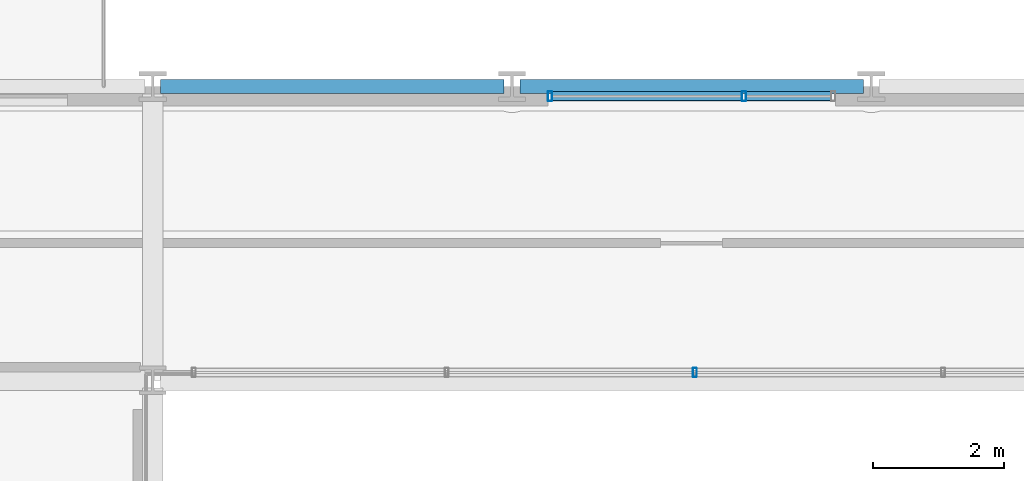
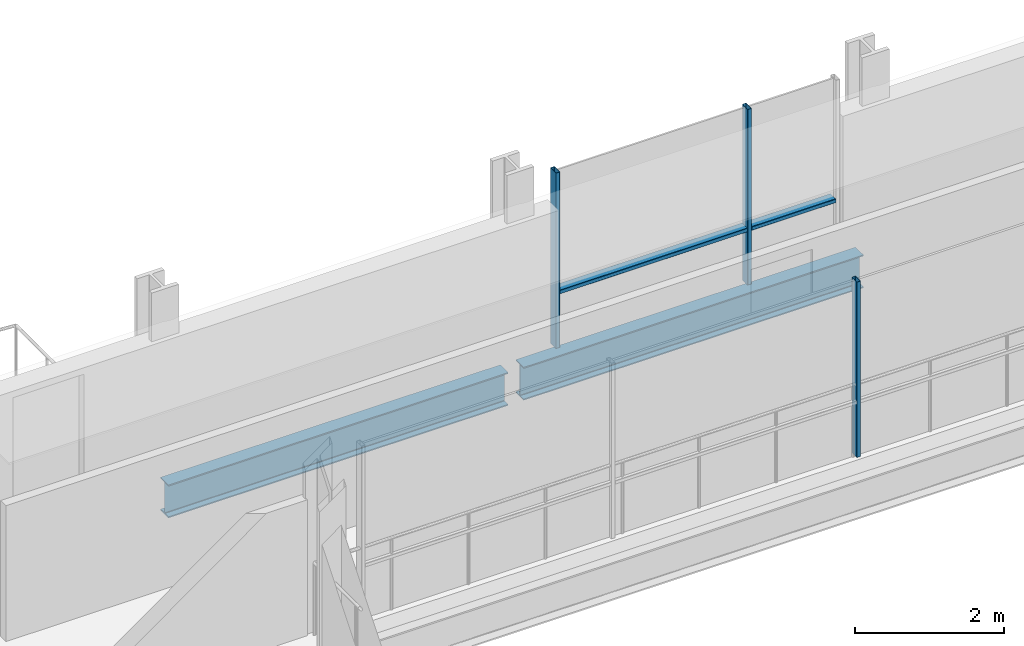
# One storey, part 11 of 39: 5 members, 2 beams, 2 elements without a shape of their own.
"""IFC4 building model written with IfcOpenShell, lengths in metres."""

from ifc_helpers import new_model, si_unit, direction, frame, origin, origin_2d, place, context, subcontext, project, spatial, hollow_rectangle, i_section, extrude, material, layer, layer_set, material_profile, profile_set, type_object, element, aggregate, save


model = new_model("IFC4")

# Units and contexts
model_context = context("Model", 3, precision=1e-05, world=origin(), true_north=direction((0.0, 1.0)))
body_context = subcontext(model_context, "Body", "Model", "MODEL_VIEW")
ifc_project = project(units=[si_unit("LENGTHUNIT", "METRE"), si_unit("AREAUNIT", "SQUARE_METRE"), si_unit("VOLUMEUNIT", "CUBIC_METRE"), si_unit("PLANEANGLEUNIT", "RADIAN"), si_unit("MASSUNIT", "GRAM", prefix="KILO")], contexts=[model_context])

# Site, building, storey
site_placement = place(None, origin())
site = spatial("IfcSite", under=ifc_project, at=site_placement, CompositionType="ELEMENT")
building_placement = place(site_placement, origin())
building = spatial("IfcBuilding", under=site, at=building_placement, Name="Brevholm Reach", CompositionType="ELEMENT")
storey_placement = place(building_placement, frame((0.0, 0.0, 77.60009765625)))
storey = spatial("IfcBuildingStorey", under=building, at=storey_placement, Name="L22", CompositionType="ELEMENT", Elevation=77.60009765625)

# Beams
ifc_material_1 = material(Name="Structural Steel S355J2", Category="steel")
ifc_material_profile_1 = material_profile(ifc_material_1, i_section(OverallWidth=0.210693359375, OverallDepth=0.53955078125, WebThickness=0.01171875, FlangeThickness=0.018798828125, FilletRadius=0.0126953125, at=origin_2d()), Name="UKB 533x210x109")
ifc_profile_set_1 = profile_set([ifc_material_profile_1], Name="Structural Steel S355J2")
beam_type = type_object("IfcBeamType", Name="BM-SP539", PredefinedType="SPANDREL", material=ifc_profile_set_1)
for number, where, z_axis, x_axis, name in (
    (1, (21.8701171875, 31.0, -0.499755859375), (1.0, 0.0, 0.0), (0.0, 1.0, 0.0), "L22 SP-01B Framing Beam"),
    (2, (27.3701171875, 31.0, -0.499755859375), (1.0, 0.0, 0.0), (0.0, 1.0, 0.0), "L22 SP-01B Framing Beam"),
):
    element("IfcBeam", number, at=place(storey_placement, frame(where, z_axis=z_axis, x_axis=x_axis)), inside=storey, type_object=beam_type, Name=name, PredefinedType="SPANDREL", context=body_context, shape_type="SweptSolid", body=[
        extrude(i_section(OverallWidth=0.210693359375, OverallDepth=0.53955078125, WebThickness=0.01171875, FlangeThickness=0.018798828125, FilletRadius=0.0126953125, at=origin_2d()), origin(), (0.0, 0.0, 1.0), 5.259765625),
    ])

# Curtain wall, member
ifc_material_2 = material(Name="Dark Anodised Aluminium 6063-T6 and Solar-Control Glass", Category="aluminium")
ifc_layer_1 = layer(ifc_material_2, 0.139892578125)
ifc_layer_set_1 = layer_set([ifc_layer_1], Name="Dark Anodised Aluminium 6063-T6 and Solar-Control Glass")
curtain_wall_type_1 = type_object("IfcCurtainWallType", Name="CW-02", PredefinedType="NOTDEFINED", material=ifc_layer_set_1)
curtain_wall_1_placement = place(storey_placement, origin())
curtain_wall_1 = element("IfcCurtainWall", 3, at=curtain_wall_1_placement, inside=storey, type_object=curtain_wall_type_1, Name="L22 Curtain Wall CW-02", PredefinedType="NOTDEFINED")
ifc_material_3 = material(Name="Dark Anodised Aluminium 6063-T6", Category="aluminium")
ifc_material_profile_2 = material_profile(ifc_material_3, hollow_rectangle(XDim=0.06005859375, YDim=0.139892578125, WallThickness=0.0048828125, InnerFilletRadius=0.0048828125, OuterFilletRadius=0.010009765625, at=origin_2d()), Name="RHS 140x60x5")
ifc_profile_set_2 = profile_set([ifc_material_profile_2], Name="Dark Anodised Aluminium 6063-T6")
member_type_1 = type_object("IfcMemberType", Name="CWM-140", PredefinedType="MULLION", material=ifc_profile_set_2)
member_1_placement = place(storey_placement, frame((30.050048828125, 26.6201171875, 0.0), z_axis=(0.0, 0.0, 1.0), x_axis=(-1.0, 0.0, 0.0)))
member_1 = element("IfcMember", 4, at=member_1_placement, type_object=member_type_1, Name="CM-140 Mullion 3", PredefinedType="MULLION", context=body_context, shape_type="SweptSolid", body=[
    extrude(hollow_rectangle(XDim=0.06005859375, YDim=0.139892578125, WallThickness=0.0048828125, InnerFilletRadius=0.0048828125, OuterFilletRadius=0.010009765625, at=origin_2d()), origin(), (0.0, 0.0, 1.0), 2.869873046875),
])
aggregate(curtain_wall_1, [member_1])

# Curtain wall, members
ifc_material_4 = material(Name="Dark Anodised Aluminium 6063-T6 and Solar-Control Glass", Category="aluminium")
ifc_layer_2 = layer(ifc_material_4, 0.14990234375)
ifc_layer_set_2 = layer_set([ifc_layer_2], Name="Dark Anodised Aluminium 6063-T6 and Solar-Control Glass")
curtain_wall_type_2 = type_object("IfcCurtainWallType", Name="CW-01", PredefinedType="NOTDEFINED", material=ifc_layer_set_2)
curtain_wall_2_placement = place(storey_placement, origin())
curtain_wall_2 = element("IfcCurtainWall", 5, at=curtain_wall_2_placement, inside=storey, type_object=curtain_wall_type_2, Name="L22 Curtain Wall CW-01", PredefinedType="NOTDEFINED")
ifc_material_5 = material(Name="Dark Anodised Aluminium 6063-T6", Category="aluminium")
ifc_material_profile_3 = material_profile(ifc_material_5, hollow_rectangle(XDim=0.06494140625, YDim=0.14990234375, WallThickness=0.0048828125, InnerFilletRadius=0.0048828125, OuterFilletRadius=0.010009765625, at=origin_2d()), Name="RHS 150x65x5")
ifc_profile_set_3 = profile_set([ifc_material_profile_3], Name="Dark Anodised Aluminium 6063-T6")
member_type_2 = type_object("IfcMemberType", Name="CWM-150", PredefinedType="MULLION", material=ifc_profile_set_3)
member_2_placement = place(storey_placement, frame((27.83251953125, 30.85009765625, 0.0), z_axis=(0.0, 0.0, 1.0), x_axis=(1.0, 0.0, 0.0)))
member_2 = element("IfcMember", 6, at=member_2_placement, type_object=member_type_2, Name="CM-150 Mullion 1", PredefinedType="MULLION", context=body_context, shape_type="SweptSolid", body=[
    extrude(hollow_rectangle(XDim=0.06494140625, YDim=0.14990234375, WallThickness=0.0048828125, InnerFilletRadius=0.0048828125, OuterFilletRadius=0.010009765625, at=origin_2d()), origin(), (0.0, 0.0, 1.0), 2.869873046875),
])
member_3_placement = place(storey_placement, frame((30.800048828125, 30.85009765625, 0.0), z_axis=(0.0, 0.0, 1.0), x_axis=(1.0, 0.0, 0.0)))
member_3 = element("IfcMember", 7, at=member_3_placement, type_object=member_type_2, Name="CM-150 Mullion 2", PredefinedType="MULLION", context=body_context, shape_type="SweptSolid", body=[
    extrude(hollow_rectangle(XDim=0.06494140625, YDim=0.14990234375, WallThickness=0.0048828125, InnerFilletRadius=0.0048828125, OuterFilletRadius=0.010009765625, at=origin_2d()), origin(), (0.0, 0.0, 1.0), 2.869873046875),
])
ifc_material_6 = material(Name="Dark Anodised Aluminium 6063-T6", Category="aluminium")
ifc_material_profile_4 = material_profile(ifc_material_6, hollow_rectangle(XDim=0.06494140625, YDim=0.14990234375, WallThickness=0.0048828125, InnerFilletRadius=0.0048828125, OuterFilletRadius=0.010009765625, at=origin_2d()), Name="RHS 150x65x5")
ifc_profile_set_4 = profile_set([ifc_material_profile_4], Name="Dark Anodised Aluminium 6063-T6")
member_type_3 = type_object("IfcMemberType", Name="CWT-150", PredefinedType="NOTDEFINED", material=ifc_profile_set_4)
member_4_placement = place(storey_placement, frame((27.864990234375, 30.85009765625, 0.89990234375), z_axis=(1.0, 0.0, 0.0), x_axis=(0.0, 0.0, 1.0)))
member_4 = element("IfcMember", 8, at=member_4_placement, type_object=member_type_3, Name="CT-150 Transom 1.1", ObjectType="TRANSOM", PredefinedType="USERDEFINED", context=body_context, shape_type="SweptSolid", body=[
    extrude(hollow_rectangle(XDim=0.06494140625, YDim=0.14990234375, WallThickness=0.0048828125, InnerFilletRadius=0.0048828125, OuterFilletRadius=0.010009765625, at=origin_2d()), origin(), (0.0, 0.0, 1.0), 2.902587890625),
])
member_5_placement = place(storey_placement, frame((30.83251953125, 30.85009765625, 0.89990234375), z_axis=(1.0, 0.0, 0.0), x_axis=(0.0, 0.0, 1.0)))
member_5 = element("IfcMember", 9, at=member_5_placement, type_object=member_type_3, Name="CT-150 Transom 2.1", ObjectType="TRANSOM", PredefinedType="USERDEFINED", context=body_context, shape_type="SweptSolid", body=[
    extrude(hollow_rectangle(XDim=0.06494140625, YDim=0.14990234375, WallThickness=0.0048828125, InnerFilletRadius=0.0048828125, OuterFilletRadius=0.010009765625, at=origin_2d()), origin(), (0.0, 0.0, 1.0), 1.302490234375),
])
aggregate(curtain_wall_2, [member_2, member_3, member_4, member_5])

save(model, "model.ifc")
